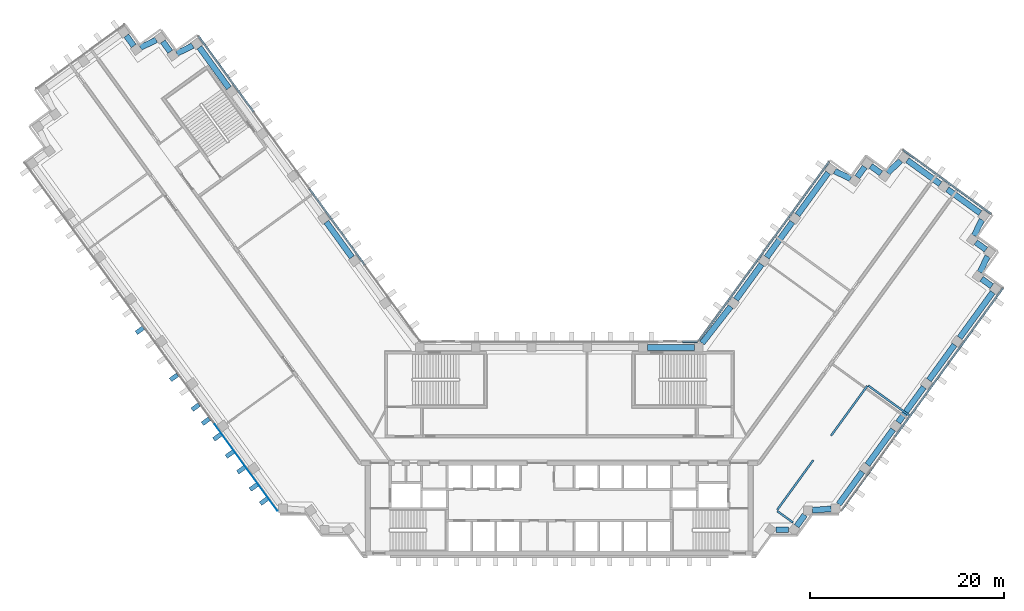
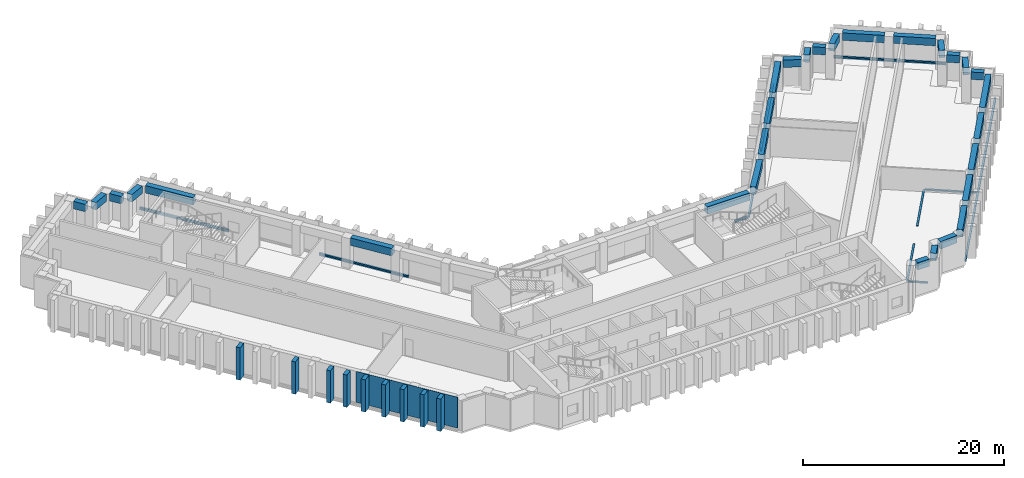
"""IFC4 building model written with IfcOpenShell, lengths in metres."""

from ifc_helpers import new_model, si_unit, direction, frame, origin, origin_2d, place, context, subcontext, project, spatial, rectangle, extrude, material, layer, layer_set, material_profile, profile_set, type_object, element, aggregate, save


model = new_model("IFC4")

# Units and contexts
model_context = context("Model", 3, precision=1e-05, world=origin(), true_north=direction((0.0, 1.0)))
body_context = subcontext(model_context, "Body", "Model", "MODEL_VIEW")
ifc_project = project(units=[si_unit("LENGTHUNIT", "METRE"), si_unit("AREAUNIT", "SQUARE_METRE"), si_unit("VOLUMEUNIT", "CUBIC_METRE"), si_unit("PLANEANGLEUNIT", "RADIAN"), si_unit("MASSUNIT", "GRAM", prefix="KILO")], contexts=[model_context])

# Site, building, storey
site_placement = place(None, origin())
site = spatial("IfcSite", under=ifc_project, at=site_placement, CompositionType="ELEMENT")
building_placement = place(site_placement, origin())
building = spatial("IfcBuilding", under=site, at=building_placement, Name="Quipu Civic Tower", CompositionType="ELEMENT")
storey_1_placement = place(building_placement, frame((0.0, 0.0, 109.0)))
storey_1 = spatial("IfcBuildingStorey", under=building, at=storey_1_placement, Name="L25", CompositionType="ELEMENT", Elevation=109.0)

# Beams
ifc_material_1 = material(Name="Concrete C50/60", Category="concrete")
ifc_material_profile_1 = material_profile(ifc_material_1, rectangle(XDim=0.60009765625, YDim=0.89990234375, at=origin_2d()), Name="RC600x900")
ifc_profile_set_1 = profile_set([ifc_material_profile_1], Name="Concrete C50/60")
beam_type = type_object("IfcBeamType", Name="Spandrel beam RC 600x900 C50/60", PredefinedType="SPANDREL", material=ifc_profile_set_1)
beam_1_placement = place(storey_1_placement, frame((-21.411865234375, 19.807861328125, 3.199951171875), z_axis=(-0.587778073121, 0.809022210299, 0.0), x_axis=(-0.809022210299, -0.587778073121, 0.0)))
element("IfcBeam", 1, at=beam_1_placement, inside=storey_1, type_object=beam_type, Name="Spandrel beam L25 W-IN-02 to W-IN-03", PredefinedType="SPANDREL", context=body_context, shape_type="SweptSolid", body=[
    extrude(rectangle(XDim=0.60009765625, YDim=0.89990234375, at=origin_2d()), origin(), (0.0, 0.0, 1.0), 4.5),
])
beam_2_placement = place(storey_1_placement, frame((-34.107421875, 37.283203125, 3.199951171875), z_axis=(-0.587732861365, 0.80905505602, 0.0), x_axis=(-0.80905505602, -0.587732861365, 0.0)))
element("IfcBeam", 2, at=beam_2_placement, inside=storey_1, type_object=beam_type, Name="Spandrel beam L25 W-IN-06 to T-Wi.0-W50", PredefinedType="SPANDREL", context=body_context, shape_type="SweptSolid", body=[
    extrude(rectangle(XDim=0.60009765625, YDim=0.89990234375, at=origin_2d()), origin(), (0.0, 0.0, 1.0), 5.194580078125),
])
beam_3_placement = place(storey_1_placement, frame((-37.837890625, 41.65283203125, 3.199951171875), z_axis=(-0.90245397739, -0.430786279601, 0.0), x_axis=(0.430786279601, -0.90245397739, 0.0)))
element("IfcBeam", 3, at=beam_3_placement, inside=storey_1, type_object=beam_type, Name="Spandrel beam L25 T-Wi.0-W50 to T-Wi.1-W50", PredefinedType="SPANDREL", context=body_context, shape_type="SweptSolid", body=[
    extrude(rectangle(XDim=0.60009765625, YDim=0.89990234375, at=origin_2d()), origin(), (0.0, 0.0, 1.0), 1.83349609375),
])
beam_4_placement = place(storey_1_placement, frame((-40.170166015625, 41.02978515625, 3.199951171875), z_axis=(-0.588461937499, 0.808524921146, 0.0), x_axis=(-0.808524921146, -0.588461937499, 0.0)))
element("IfcBeam", 4, at=beam_4_placement, inside=storey_1, type_object=beam_type, Name="Spandrel beam L25 T-Wi.1-W50 to T-Wi.2-W50", PredefinedType="SPANDREL", context=body_context, shape_type="SweptSolid", body=[
    extrude(rectangle(XDim=0.60009765625, YDim=0.89990234375, at=origin_2d()), origin(), (0.0, 0.0, 1.0), 1.30029296875),
])
beam_5_placement = place(storey_1_placement, frame((-41.613037109375, 42.248046875, 3.199951171875), z_axis=(-0.902613270121, -0.430452418511, 0.0), x_axis=(0.430452418511, -0.902613270121, 0.0)))
element("IfcBeam", 5, at=beam_5_placement, inside=storey_1, type_object=beam_type, Name="Spandrel beam L25 T-Wi.2-W50 to T-Wi.3-W50", PredefinedType="SPANDREL", context=body_context, shape_type="SweptSolid", body=[
    extrude(rectangle(XDim=0.60009765625, YDim=0.89990234375, at=origin_2d()), origin(), (0.0, 0.0, 1.0), 1.826416015625),
])
beam_6_placement = place(storey_1_placement, frame((-43.939453125, 41.628662109375, 3.199951171875), z_axis=(-0.588383572423, 0.808581951136, 0.0), x_axis=(-0.808581951136, -0.588383572423, 0.0)))
element("IfcBeam", 6, at=beam_6_placement, inside=storey_1, type_object=beam_type, Name="Spandrel beam L25 T-Wi.3-W50 to T-Wi.4-W50", PredefinedType="SPANDREL", context=body_context, shape_type="SweptSolid", body=[
    extrude(rectangle(XDim=0.60009765625, YDim=0.89990234375, at=origin_2d()), origin(), (0.0, 0.0, 1.0), 1.3017578125),
])
beam_7_placement = place(storey_1_placement, frame((22.34814453125, -8.31494140625, 3.199951171875), z_axis=(1.0, 0.0, 0.0), x_axis=(0.0, 1.0, 0.0)))
element("IfcBeam", 7, at=beam_7_placement, inside=storey_1, type_object=beam_type, Name="Spandrel beam L25 J-Eo.1 to J-Eo.2", PredefinedType="SPANDREL", context=body_context, shape_type="SweptSolid", body=[
    extrude(rectangle(XDim=0.60009765625, YDim=0.89990234375, at=origin_2d()), origin(), (0.0, 0.0, 1.0), 1.33056640625),
])
beam_8_placement = place(storey_1_placement, frame((24.499755859375, -7.951171875, 3.199951171875), z_axis=(0.588433824377, 0.808545381738, 0.0), x_axis=(-0.808545381738, 0.588433824377, 0.0)))
element("IfcBeam", 8, at=beam_8_placement, inside=storey_1, type_object=beam_type, Name="Spandrel beam L25 J-Eo.2 to J-Eo.3", PredefinedType="SPANDREL", context=body_context, shape_type="SweptSolid", body=[
    extrude(rectangle(XDim=0.60009765625, YDim=0.89990234375, at=origin_2d()), origin(), (0.0, 0.0, 1.0), 1.439697265625),
])
beam_9_placement = place(storey_1_placement, frame((26.12451171875, -6.304443359375, 3.199951171875), z_axis=(0.997365981169, 0.072533437859, 0.0), x_axis=(-0.072533437859, 0.997365981169, 0.0)))
element("IfcBeam", 9, at=beam_9_placement, inside=storey_1, type_object=beam_type, Name="Spandrel beam L25 J-Eo.3 to J-Eo.4", PredefinedType="SPANDREL", context=body_context, shape_type="SweptSolid", body=[
    extrude(rectangle(XDim=0.60009765625, YDim=0.89990234375, at=origin_2d()), origin(), (0.0, 0.0, 1.0), 1.95556640625),
])
beam_10_placement = place(storey_1_placement, frame((28.85205078125, -5.679931640625, 3.199951171875), z_axis=(0.587750565781, 0.809042194464, 0.0), x_axis=(-0.809042194464, 0.587750565781, 0.0)))
element("IfcBeam", 10, at=beam_10_placement, inside=storey_1, type_object=beam_type, Name="Spandrel beam L25 J-Eo.4 to E-OUT-01", PredefinedType="SPANDREL", context=body_context, shape_type="SweptSolid", body=[
    extrude(rectangle(XDim=0.60009765625, YDim=0.89990234375, at=origin_2d()), origin(), (0.0, 0.0, 1.0), 4.13720703125),
])
beam_11_placement = place(storey_1_placement, frame((31.812744140625, -1.604736328125, 3.199951171875), z_axis=(0.587778073121, 0.809022210299, 0.0), x_axis=(-0.809022210299, 0.587778073121, 0.0)))
element("IfcBeam", 11, at=beam_11_placement, inside=storey_1, type_object=beam_type, Name="Spandrel beam L25 E-OUT-01 to E-OUT-02", PredefinedType="SPANDREL", context=body_context, shape_type="SweptSolid", body=[
    extrude(rectangle(XDim=0.60009765625, YDim=0.89990234375, at=origin_2d()), origin(), (0.0, 0.0, 1.0), 4.5),
])
beam_12_placement = place(storey_1_placement, frame((34.98681640625, 2.76416015625, 3.199951171875), z_axis=(0.587803872688, 0.809003465539, 0.0), x_axis=(-0.809003465539, 0.587803872688, 0.0)))
element("IfcBeam", 12, at=beam_12_placement, inside=storey_1, type_object=beam_type, Name="Spandrel beam L25 E-OUT-02 to E-OUT-03", PredefinedType="SPANDREL", context=body_context, shape_type="SweptSolid", body=[
    extrude(rectangle(XDim=0.60009765625, YDim=0.89990234375, at=origin_2d()), origin(), (0.0, 0.0, 1.0), 4.499755859375),
])
beam_13_placement = place(storey_1_placement, frame((38.160888671875, 7.1328125, 3.199951171875), z_axis=(0.587778073121, 0.809022210299, 0.0), x_axis=(-0.809022210299, 0.587778073121, 0.0)))
element("IfcBeam", 13, at=beam_13_placement, inside=storey_1, type_object=beam_type, Name="Spandrel beam L25 E-OUT-03 to E-OUT-04", PredefinedType="SPANDREL", context=body_context, shape_type="SweptSolid", body=[
    extrude(rectangle(XDim=0.60009765625, YDim=0.89990234375, at=origin_2d()), origin(), (0.0, 0.0, 1.0), 4.5),
])
beam_14_placement = place(storey_1_placement, frame((41.3349609375, 11.50146484375, 3.199951171875), z_axis=(0.587766353983, 0.809030724463, 0.0), x_axis=(-0.809030724463, 0.587766353983, 0.0)))
element("IfcBeam", 14, at=beam_14_placement, inside=storey_1, type_object=beam_type, Name="Spandrel beam L25 E-OUT-04 to T-Eo.0-E34", PredefinedType="SPANDREL", context=body_context, shape_type="SweptSolid", body=[
    extrude(rectangle(XDim=0.60009765625, YDim=0.89990234375, at=origin_2d()), origin(), (0.0, 0.0, 1.0), 5.802734375),
])
beam_15_placement = place(storey_1_placement, frame((44.646240234375, 16.82470703125, 3.199951171875), z_axis=(-0.808524921146, 0.588461937499, 0.0), x_axis=(-0.588461937499, -0.808524921146, 0.0)))
element("IfcBeam", 15, at=beam_15_placement, inside=storey_1, type_object=beam_type, Name="Spandrel beam L25 T-Eo.0-E34 to T-Eo.1-E34", PredefinedType="SPANDREL", context=body_context, shape_type="SweptSolid", body=[
    extrude(rectangle(XDim=0.60009765625, YDim=0.89990234375, at=origin_2d()), origin(), (0.0, 0.0, 1.0), 1.30029296875),
])
beam_16_placement = place(storey_1_placement, frame((43.42822265625, 18.267578125, 3.199951171875), z_axis=(0.430677818234, 0.902505743406, 0.0), x_axis=(-0.902505743406, 0.430677818234, 0.0)))
element("IfcBeam", 16, at=beam_16_placement, inside=storey_1, type_object=beam_type, Name="Spandrel beam L25 T-Eo.1-E34 to T-Eo.2-E34", PredefinedType="SPANDREL", context=body_context, shape_type="SweptSolid", body=[
    extrude(rectangle(XDim=0.60009765625, YDim=0.89990234375, at=origin_2d()), origin(), (0.0, 0.0, 1.0), 1.833251953125),
])
beam_17_placement = place(storey_1_placement, frame((44.05078125, 20.59912109375, 3.199951171875), z_axis=(-0.809393823939, 0.587266240959, 0.0), x_axis=(-0.587266240959, -0.809393823939, 0.0)))
element("IfcBeam", 17, at=beam_17_placement, inside=storey_1, type_object=beam_type, Name="Spandrel beam L25 T-Eo.2-E34 to T-Eo.3-E34", PredefinedType="SPANDREL", context=body_context, shape_type="SweptSolid", body=[
    extrude(rectangle(XDim=0.60009765625, YDim=0.89990234375, at=origin_2d()), origin(), (0.0, 0.0, 1.0), 1.299072265625),
])
beam_18_placement = place(storey_1_placement, frame((42.83154296875, 22.03955078125, 3.199951171875), z_axis=(0.429892146977, 0.902880247856, 0.0), x_axis=(-0.902880247856, 0.429892146977, 0.0)))
element("IfcBeam", 18, at=beam_18_placement, inside=storey_1, type_object=beam_type, Name="Spandrel beam L25 T-Eo.3-E34 to T-Eo.4-E34", PredefinedType="SPANDREL", context=body_context, shape_type="SweptSolid", body=[
    extrude(rectangle(XDim=0.60009765625, YDim=0.89990234375, at=origin_2d()), origin(), (0.0, 0.0, 1.0), 1.829833984375),
])
beam_19_placement = place(storey_1_placement, frame((43.450927734375, 24.36962890625, 3.199951171875), z_axis=(-0.808987489375, 0.587825860298, 0.0), x_axis=(-0.587825860298, -0.808987489375, 0.0)))
element("IfcBeam", 19, at=beam_19_placement, inside=storey_1, type_object=beam_type, Name="Spandrel beam L25 T-Eo.4-E34 to TIP-E-01-E34", PredefinedType="SPANDREL", context=body_context, shape_type="SweptSolid", body=[
    extrude(rectangle(XDim=0.60009765625, YDim=0.89990234375, at=origin_2d()), origin(), (0.0, 0.0, 1.0), 4.1982421875),
])
beam_20_placement = place(storey_1_placement, frame((39.32666015625, 27.366455078125, 3.199951171875), z_axis=(-0.808969789945, 0.58785021813, 0.0), x_axis=(-0.58785021813, -0.808969789945, 0.0)))
element("IfcBeam", 20, at=beam_20_placement, inside=storey_1, type_object=beam_type, Name="Spandrel beam L25 TIP-E-01-E34 to T-Ei.0-E34", PredefinedType="SPANDREL", context=body_context, shape_type="SweptSolid", body=[
    extrude(rectangle(XDim=0.60009765625, YDim=0.89990234375, at=origin_2d()), origin(), (0.0, 0.0, 1.0), 4.199951171875),
])
beam_21_placement = place(storey_1_placement, frame((35.233154296875, 29.784912109375, 3.199951171875), z_axis=(-0.725209203815, -0.688528583795, 0.0), x_axis=(0.688528583795, -0.725209203815, 0.0)))
element("IfcBeam", 21, at=beam_21_placement, inside=storey_1, type_object=beam_type, Name="Spandrel beam L25 T-Ei.0-E34 to T-Ei.1-E34", PredefinedType="SPANDREL", context=body_context, shape_type="SweptSolid", body=[
    extrude(rectangle(XDim=0.60009765625, YDim=0.89990234375, at=origin_2d()), origin(), (0.0, 0.0, 1.0), 1.830322265625),
])
beam_22_placement = place(storey_1_placement, frame((33.209716796875, 28.4736328125, 3.199951171875), z_axis=(-0.809402563526, 0.587254195521, 0.0), x_axis=(-0.587254195521, -0.809402563526, 0.0)))
element("IfcBeam", 22, at=beam_22_placement, inside=storey_1, type_object=beam_type, Name="Spandrel beam L25 T-Ei.1-E34 to T-Ei.2-E34", PredefinedType="SPANDREL", context=body_context, shape_type="SweptSolid", body=[
    extrude(rectangle(XDim=0.60009765625, YDim=0.89990234375, at=origin_2d()), origin(), (0.0, 0.0, 1.0), 1.2978515625),
])
beam_23_placement = place(storey_1_placement, frame((31.52978515625, 29.136474609375, 3.199951171875), z_axis=(-0.589187485143, -0.80799635355, 0.0), x_axis=(0.80799635355, -0.589187485143, 0.0)))
element("IfcBeam", 23, at=beam_23_placement, inside=storey_1, type_object=beam_type, Name="Spandrel beam L25 T-Ei.2-E34 to T-Ei.3-E34", PredefinedType="SPANDREL", context=body_context, shape_type="SweptSolid", body=[
    extrude(rectangle(XDim=0.60009765625, YDim=0.89990234375, at=origin_2d()), origin(), (0.0, 0.0, 1.0), 1.2998046875),
])
beam_24_placement = place(storey_1_placement, frame((30.085693359375, 27.919677734375, 3.199951171875), z_axis=(-0.902567013751, 0.430549399823, 0.0), x_axis=(-0.430549399823, -0.902567013751, 0.0)))
element("IfcBeam", 24, at=beam_24_placement, inside=storey_1, type_object=beam_type, Name="Spandrel beam L25 T-Ei.3-E34 to T-Ei.4-E34", PredefinedType="SPANDREL", context=body_context, shape_type="SweptSolid", body=[
    extrude(rectangle(XDim=0.60009765625, YDim=0.89990234375, at=origin_2d()), origin(), (0.0, 0.0, 1.0), 1.8310546875),
])
beam_25_placement = place(storey_1_placement, frame((27.755615234375, 28.541015625, 3.199951171875), z_axis=(-0.58767640123, -0.809096068114, 0.0), x_axis=(0.809096068114, -0.58767640123, 0.0)))
element("IfcBeam", 25, at=beam_25_placement, inside=storey_1, type_object=beam_type, Name="Spandrel beam L25 T-Ei.4-E34 to E-IN-03", PredefinedType="SPANDREL", context=body_context, shape_type="SweptSolid", body=[
    extrude(rectangle(XDim=0.60009765625, YDim=0.89990234375, at=origin_2d()), origin(), (0.0, 0.0, 1.0), 5.39404296875),
])
for number, where, z_axis, x_axis, name in (
    (26, (24.056884765625, 23.448486328125, 3.199951171875), (-0.587778073121, -0.809022210299, 0.0), (0.809022210299, -0.587778073121, 0.0), "Spandrel beam L25 E-IN-03 to E-IN-02"),
    (27, (20.8828125, 19.079833984375, 3.199951171875), (-0.587716763865, -0.809066749701, 0.0), (0.809066749701, -0.587716763865, 0.0), "Spandrel beam L25 E-IN-02 to E-IN-01"),
):
    element("IfcBeam", number, at=place(storey_1_placement, frame(where, z_axis=z_axis, x_axis=x_axis)), inside=storey_1, type_object=beam_type, Name=name, PredefinedType="SPANDREL", context=body_context, shape_type="SweptSolid", body=[
        extrude(rectangle(XDim=0.60009765625, YDim=0.89990234375, at=origin_2d()), origin(), (0.0, 0.0, 1.0), 4.5),
    ])
beam_26_placement = place(storey_1_placement, frame((17.6962890625, 14.72021484375, 3.199951171875), z_axis=(-0.616123961998, -0.787649200756, 0.0), x_axis=(0.787649200756, -0.616123961998, 0.0)))
element("IfcBeam", 28, at=beam_26_placement, inside=storey_1, type_object=beam_type, Name="Spandrel beam L25 E-IN-01 to J-Ei.0", PredefinedType="SPANDREL", context=body_context, shape_type="SweptSolid", body=[
    extrude(rectangle(XDim=0.60009765625, YDim=0.89990234375, at=origin_2d()), origin(), (0.0, 0.0, 1.0), 4.78662109375),
])
beam_27_placement = place(storey_1_placement, frame((13.9453125, 10.5, 3.199951171875), z_axis=(-1.0, 0.0, 0.0), x_axis=(0.0, -1.0, 0.0)))
element("IfcBeam", 29, at=beam_27_placement, inside=storey_1, type_object=beam_type, Name="Spandrel beam L25 J-Ei.0 to FRONT-01", PredefinedType="SPANDREL", context=body_context, shape_type="SweptSolid", body=[
    extrude(rectangle(XDim=0.60009765625, YDim=0.89990234375, at=origin_2d()), origin(), (0.0, 0.0, 1.0), 4.858154296875),
])

# Storey
storey_2_placement = place(building_placement, frame((0.0, 0.0, 101.0)))
storey_2 = spatial("IfcBuildingStorey", under=building, at=storey_2_placement, Name="L23", CompositionType="ELEMENT", Elevation=101.0)

# Curtain wall, members
ifc_material_2 = material(Name="Insulated glass unit", Category="glass")
curtain_wall_type = type_object("IfcCurtainWallType", Name="Office curtain wall CW1", PredefinedType="NOTDEFINED", material=ifc_material_2)
curtain_wall_1_placement = place(storey_2_placement, origin())
curtain_wall_1 = element("IfcCurtainWall", 30, at=curtain_wall_1_placement, inside=storey_2, type_object=curtain_wall_type, Name="Office curtain wall CW1 L22 run 10", PredefinedType="NOTDEFINED")
ifc_material_3 = material(Name="Anodised aluminium", Category="aluminium")
ifc_material_profile_2 = material_profile(ifc_material_3, rectangle(XDim=0.199951171875, YDim=0.159912109375, at=origin_2d()), Name="RECT 200x160")
ifc_profile_set_2 = profile_set([ifc_material_profile_2], Name="Anodised aluminium")
member_type = type_object("IfcMemberType", Name="Transom CW1", PredefinedType="USERDEFINED", material=ifc_profile_set_2)
member_1_placement = place(storey_1_placement, frame((-20.105224609375, 19.029296875, 0.0), z_axis=(-0.587793764301, 0.80901080997, 0.0), x_axis=(-0.80901080997, -0.587793764301, 0.0)))
member_1 = element("IfcMember", 31, at=member_1_placement, inside=storey_1, type_object=member_type, Name="CW1 transom 2.4", ObjectType="TRANSOM", PredefinedType="USERDEFINED", context=body_context, shape_type="SweptSolid", body=[
    extrude(rectangle(XDim=0.199951171875, YDim=0.159912109375, at=origin_2d()), origin(), (0.0, 0.0, 1.0), 9.680908203125),
])
member_2_placement = place(storey_1_placement, frame((-31.580078125, 34.822998046875, 0.0), z_axis=(-0.587775627857, 0.809023986849, 0.0), x_axis=(-0.809023986849, -0.587775627857, 0.0)))
member_2 = element("IfcMember", 32, at=member_2_placement, inside=storey_1, type_object=member_type, Name="CW1 transom 4.4", ObjectType="TRANSOM", PredefinedType="USERDEFINED", context=body_context, shape_type="SweptSolid", body=[
    extrude(rectangle(XDim=0.199951171875, YDim=0.159912109375, at=origin_2d()), origin(), (0.0, 0.0, 1.0), 9.64111328125),
])
aggregate(curtain_wall_1, [member_1, member_2])

# Curtain wall, member
curtain_wall_2_placement = place(storey_2_placement, origin())
curtain_wall_2 = element("IfcCurtainWall", 33, at=curtain_wall_2_placement, inside=storey_2, type_object=curtain_wall_type, Name="Office curtain wall CW1 L22 run 31", PredefinedType="NOTDEFINED")
member_3_placement = place(storey_1_placement, frame((44.590087890625, 24.2841796875, 0.0), z_axis=(-0.809014959561, 0.587788052963, 0.0), x_axis=(-0.587788052963, -0.809014959561, 0.0)))
member_3 = element("IfcMember", 34, at=member_3_placement, inside=storey_1, type_object=member_type, Name="CW1 transom 1.4", ObjectType="TRANSOM", PredefinedType="USERDEFINED", context=body_context, shape_type="SweptSolid", body=[
    extrude(rectangle(XDim=0.199951171875, YDim=0.159912109375, at=origin_2d()), origin(), (0.0, 0.0, 1.0), 11.239990234375),
])
aggregate(curtain_wall_2, [member_3])

# Curtain wall, members
curtain_wall_3_placement = place(storey_2_placement, origin())
curtain_wall_3 = element("IfcCurtainWall", 35, at=curtain_wall_3_placement, inside=storey_2, type_object=curtain_wall_type, Name="Office curtain wall CW1 L22 run 36", PredefinedType="NOTDEFINED")
member_4_placement = place(storey_1_placement, frame((27.84228515625, 29.678466796875, 0.0), z_axis=(-0.587775682251, -0.809023947331, 0.0), x_axis=(0.809023947331, -0.587775682251, 0.0)))
member_4 = element("IfcMember", 36, at=member_4_placement, inside=storey_1, type_object=member_type, Name="CW1 transom 1.4", ObjectType="TRANSOM", PredefinedType="USERDEFINED", context=body_context, shape_type="SweptSolid", body=[
    extrude(rectangle(XDim=0.199951171875, YDim=0.159912109375, at=origin_2d()), origin(), (0.0, 0.0, 1.0), 11.402099609375),
])
member_5_placement = place(storey_1_placement, frame((21.09326171875, 20.38916015625, 0.0), z_axis=(-0.587799878401, -0.809006367683, 0.0), x_axis=(0.809006367683, -0.587799878401, 0.0)))
member_5 = element("IfcMember", 37, at=member_5_placement, inside=storey_1, type_object=member_type, Name="CW1 transom 2.4", ObjectType="TRANSOM", PredefinedType="USERDEFINED", context=body_context, shape_type="SweptSolid", body=[
    extrude(rectangle(XDim=0.199951171875, YDim=0.159912109375, at=origin_2d()), origin(), (0.0, 0.0, 1.0), 11.402099609375),
])
aggregate(curtain_wall_3, [member_4, member_5])

# Curtain wall, member
curtain_wall_4_placement = place(storey_2_placement, origin())
curtain_wall_4 = element("IfcCurtainWall", 38, at=curtain_wall_4_placement, inside=storey_2, type_object=curtain_wall_type, Name="Office curtain wall CW1 L22 run 37", PredefinedType="NOTDEFINED")
member_6_placement = place(storey_1_placement, frame((14.26416015625, 11.10009765625, 0.0), z_axis=(-1.0, 0.0, 0.0), x_axis=(0.0, -1.0, 0.0)))
member_6 = element("IfcMember", 39, at=member_6_placement, inside=storey_1, type_object=member_type, Name="CW1 transom 1.4", ObjectType="TRANSOM", PredefinedType="USERDEFINED", context=body_context, shape_type="SweptSolid", body=[
    extrude(rectangle(XDim=0.199951171875, YDim=0.159912109375, at=origin_2d()), origin(), (0.0, 0.0, 1.0), 1.529052734375),
])
aggregate(curtain_wall_4, [member_6])

# Storey
storey_3_placement = place(building_placement, frame((0.0, 0.0, 105.0)))
storey_3 = spatial("IfcBuildingStorey", under=building, at=storey_3_placement, Name="L24", CompositionType="ELEMENT", Elevation=105.0)

# Curtain wall, member
curtain_wall_5_placement = place(storey_3_placement, origin())
curtain_wall_5 = element("IfcCurtainWall", 40, at=curtain_wall_5_placement, inside=storey_3, type_object=curtain_wall_type, Name="Office curtain wall CW1 L24 run 2", PredefinedType="NOTDEFINED")
member_7_placement = place(storey_1_placement, frame((24.122314453125, -7.568359375, 0.0), z_axis=(-0.809088976467, 0.587686164683, 0.0), x_axis=(-0.587686164683, -0.809088976467, 0.0)))
member_7 = element("IfcMember", 41, at=member_7_placement, inside=storey_1, type_object=member_type, Name="CW1 transom 1.2", ObjectType="TRANSOM", PredefinedType="USERDEFINED", context=body_context, shape_type="SweptSolid", body=[
    extrude(rectangle(XDim=0.199951171875, YDim=0.159912109375, at=origin_2d()), origin(), (0.0, 0.0, 1.0), 2.003662109375),
])
aggregate(curtain_wall_5, [member_7])

curtain_wall_6_placement = place(storey_3_placement, origin())
curtain_wall_6 = element("IfcCurtainWall", 42, at=curtain_wall_6_placement, inside=storey_3, type_object=curtain_wall_type, Name="Office curtain wall CW1 L24 run 3", PredefinedType="NOTDEFINED")
member_8_placement = place(storey_1_placement, frame((22.483642578125, -6.279052734375, 0.0), z_axis=(0.587778942742, 0.809021578494, 0.0), x_axis=(-0.809021578494, 0.587778942742, 0.0)))
member_8 = element("IfcMember", 43, at=member_8_placement, inside=storey_1, type_object=member_type, Name="CW1 transom 1.2", ObjectType="TRANSOM", PredefinedType="USERDEFINED", context=body_context, shape_type="SweptSolid", body=[
    extrude(rectangle(XDim=0.199951171875, YDim=0.159912109375, at=origin_2d()), origin(), (0.0, 0.0, 1.0), 6.3583984375),
])
aggregate(curtain_wall_6, [member_8])

curtain_wall_7_placement = place(storey_3_placement, origin())
curtain_wall_7 = element("IfcCurtainWall", 44, at=curtain_wall_7_placement, inside=storey_3, type_object=curtain_wall_type, Name="Office curtain wall CW1 L24 run 5", PredefinedType="NOTDEFINED")
member_9_placement = place(storey_1_placement, frame((28.056640625, 1.3916015625, 0.0), z_axis=(0.587785815007, 0.809016585539, 0.0), x_axis=(-0.809016585539, 0.587785815007, 0.0)))
member_9 = element("IfcMember", 45, at=member_9_placement, inside=storey_1, type_object=member_type, Name="CW1 transom 1.2", ObjectType="TRANSOM", PredefinedType="USERDEFINED", context=body_context, shape_type="SweptSolid", body=[
    extrude(rectangle(XDim=0.199951171875, YDim=0.159912109375, at=origin_2d()), origin(), (0.0, 0.0, 1.0), 6.358642578125),
])
aggregate(curtain_wall_7, [member_9])

curtain_wall_8_placement = place(storey_3_placement, origin())
curtain_wall_8 = element("IfcCurtainWall", 46, at=curtain_wall_8_placement, inside=storey_3, type_object=curtain_wall_type, Name="Office curtain wall CW1 L24 run 6", PredefinedType="NOTDEFINED")
member_10_placement = place(storey_1_placement, frame((31.90576171875, 6.553466796875, 0.0), z_axis=(0.809032158953, -0.587764379475, 0.0), x_axis=(0.587764379475, 0.809032158953, 0.0)))
member_10 = element("IfcMember", 47, at=member_10_placement, inside=storey_1, type_object=member_type, Name="CW1 transom 1.2", ObjectType="TRANSOM", PredefinedType="USERDEFINED", context=body_context, shape_type="SweptSolid", body=[
    extrude(rectangle(XDim=0.199951171875, YDim=0.159912109375, at=origin_2d()), origin(), (0.0, 0.0, 1.0), 5.239990234375),
])
aggregate(curtain_wall_8, [member_10])

# Curtain wall, members
curtain_wall_9_placement = place(storey_3_placement, origin())
curtain_wall_9 = element("IfcCurtainWall", 48, at=curtain_wall_9_placement, inside=storey_3, type_object=curtain_wall_type, Name="Office curtain wall CW1 L24 run 7", PredefinedType="NOTDEFINED")
member_11_placement = place(storey_1_placement, frame((36.2568359375, 3.4912109375, 0.0), z_axis=(0.587781767955, 0.809019525883, 0.0), x_axis=(-0.809019525883, 0.587781767955, 0.0)))
member_11 = element("IfcMember", 49, at=member_11_placement, inside=storey_1, type_object=member_type, Name="CW1 transom 1.2", ObjectType="TRANSOM", PredefinedType="USERDEFINED", context=body_context, shape_type="SweptSolid", body=[
    extrude(rectangle(XDim=0.199951171875, YDim=0.159912109375, at=origin_2d()), origin(), (0.0, 0.0, 1.0), 8.080078125),
])
member_12_placement = place(storey_1_placement, frame((41.05322265625, 10.0927734375, 0.0), z_axis=(0.587781767955, 0.809019525883, 0.0), x_axis=(-0.809019525883, 0.587781767955, 0.0)))
member_12 = element("IfcMember", 50, at=member_12_placement, inside=storey_1, type_object=member_type, Name="CW1 transom 2.2", ObjectType="TRANSOM", PredefinedType="USERDEFINED", context=body_context, shape_type="SweptSolid", body=[
    extrude(rectangle(XDim=0.199951171875, YDim=0.159912109375, at=origin_2d()), origin(), (0.0, 0.0, 1.0), 8.080078125),
])
aggregate(curtain_wall_9, [member_11, member_12])

# Storey
storey_4_placement = place(building_placement, frame((0.0, 0.0, 113.0)))
storey_4 = spatial("IfcBuildingStorey", under=building, at=storey_4_placement, Name="L26", CompositionType="ELEMENT", Elevation=113.0)

# Curtain wall, members
curtain_wall_10_placement = place(storey_4_placement, origin())
curtain_wall_10 = element("IfcCurtainWall", 51, at=curtain_wall_10_placement, inside=storey_4, type_object=curtain_wall_type, Name="Office curtain wall CW1 L25 run 1", PredefinedType="NOTDEFINED")
member_13_placement = place(storey_1_placement, frame((-20.105224609375, 19.029296875, 0.159912109375), z_axis=(-0.587793764301, 0.80901080997, 0.0), x_axis=(-0.80901080997, -0.587793764301, 0.0)))
member_13 = element("IfcMember", 52, at=member_13_placement, inside=storey_1, type_object=member_type, Name="CW1 transom 2.1", ObjectType="TRANSOM", PredefinedType="USERDEFINED", context=body_context, shape_type="SweptSolid", body=[
    extrude(rectangle(XDim=0.199951171875, YDim=0.159912109375, at=origin_2d()), origin(), (0.0, 0.0, 1.0), 9.680908203125),
])
member_14_placement = place(storey_1_placement, frame((-31.580078125, 34.822998046875, 0.159912109375), z_axis=(-0.587775627857, 0.809023986849, 0.0), x_axis=(-0.809023986849, -0.587775627857, 0.0)))
member_14 = element("IfcMember", 53, at=member_14_placement, inside=storey_1, type_object=member_type, Name="CW1 transom 4.1", ObjectType="TRANSOM", PredefinedType="USERDEFINED", context=body_context, shape_type="SweptSolid", body=[
    extrude(rectangle(XDim=0.199951171875, YDim=0.159912109375, at=origin_2d()), origin(), (0.0, 0.0, 1.0), 9.64111328125),
])
aggregate(curtain_wall_10, [member_13, member_14])

curtain_wall_11_placement = place(storey_4_placement, origin())
curtain_wall_11 = element("IfcCurtainWall", 54, at=curtain_wall_11_placement, inside=storey_4, type_object=curtain_wall_type, Name="Office curtain wall CW1 L25 run 23", PredefinedType="NOTDEFINED")
member_15_placement = place(storey_1_placement, frame((29.10302734375, -6.35546875, 0.159912109375), z_axis=(0.58777644589, 0.809023392528, 0.0), x_axis=(-0.809023392528, 0.58777644589, 0.0)))
member_15 = element("IfcMember", 55, at=member_15_placement, inside=storey_1, type_object=member_type, Name="CW1 transom 1.1", ObjectType="TRANSOM", PredefinedType="USERDEFINED", context=body_context, shape_type="SweptSolid", body=[
    extrude(rectangle(XDim=0.199951171875, YDim=0.159912109375, at=origin_2d()), origin(), (0.0, 0.0, 1.0), 9.40380859375),
])
member_16_placement = place(storey_1_placement, frame((34.67724609375, 1.317138671875, 0.159912109375), z_axis=(0.587790407593, 0.809013248805, 0.0), x_axis=(-0.809013248805, 0.587790407593, 0.0)))
member_16 = element("IfcMember", 56, at=member_16_placement, inside=storey_1, type_object=member_type, Name="CW1 transom 2.1", ObjectType="TRANSOM", PredefinedType="USERDEFINED", context=body_context, shape_type="SweptSolid", body=[
    extrude(rectangle(XDim=0.199951171875, YDim=0.159912109375, at=origin_2d()), origin(), (0.0, 0.0, 1.0), 9.443359375),
])
member_17_placement = place(storey_1_placement, frame((40.275146484375, 9.02197265625, 0.159912109375), z_axis=(0.58778879159, 0.809014422913, 0.0), x_axis=(-0.809014422913, 0.58778879159, 0.0)))
member_17 = element("IfcMember", 57, at=member_17_placement, inside=storey_1, type_object=member_type, Name="CW1 transom 3.1", ObjectType="TRANSOM", PredefinedType="USERDEFINED", context=body_context, shape_type="SweptSolid", body=[
    extrude(rectangle(XDim=0.199951171875, YDim=0.159912109375, at=origin_2d()), origin(), (0.0, 0.0, 1.0), 9.403564453125),
])
aggregate(curtain_wall_11, [member_15, member_16, member_17])

# Curtain wall, member
curtain_wall_12_placement = place(storey_4_placement, origin())
curtain_wall_12 = element("IfcCurtainWall", 58, at=curtain_wall_12_placement, inside=storey_4, type_object=curtain_wall_type, Name="Office curtain wall CW1 L25 run 25", PredefinedType="NOTDEFINED")
member_18_placement = place(storey_1_placement, frame((44.590087890625, 24.2841796875, 0.159912109375), z_axis=(-0.809014959561, 0.587788052963, 0.0), x_axis=(-0.587788052963, -0.809014959561, 0.0)))
member_18 = element("IfcMember", 59, at=member_18_placement, inside=storey_1, type_object=member_type, Name="CW1 transom 1.1", ObjectType="TRANSOM", PredefinedType="USERDEFINED", context=body_context, shape_type="SweptSolid", body=[
    extrude(rectangle(XDim=0.199951171875, YDim=0.159912109375, at=origin_2d()), origin(), (0.0, 0.0, 1.0), 11.239990234375),
])
aggregate(curtain_wall_12, [member_18])

# Curtain wall, members
curtain_wall_13_placement = place(storey_4_placement, origin())
curtain_wall_13 = element("IfcCurtainWall", 60, at=curtain_wall_13_placement, inside=storey_4, type_object=curtain_wall_type, Name="Office curtain wall CW1 L25 run 30", PredefinedType="NOTDEFINED")
member_19_placement = place(storey_1_placement, frame((27.84228515625, 29.678466796875, 0.159912109375), z_axis=(-0.587775682251, -0.809023947331, 0.0), x_axis=(0.809023947331, -0.587775682251, 0.0)))
member_19 = element("IfcMember", 61, at=member_19_placement, inside=storey_1, type_object=member_type, Name="CW1 transom 1.1", ObjectType="TRANSOM", PredefinedType="USERDEFINED", context=body_context, shape_type="SweptSolid", body=[
    extrude(rectangle(XDim=0.199951171875, YDim=0.159912109375, at=origin_2d()), origin(), (0.0, 0.0, 1.0), 11.402099609375),
])
member_20_placement = place(storey_1_placement, frame((21.09326171875, 20.38916015625, 0.159912109375), z_axis=(-0.587799878401, -0.809006367683, 0.0), x_axis=(0.809006367683, -0.587799878401, 0.0)))
member_20 = element("IfcMember", 62, at=member_20_placement, inside=storey_1, type_object=member_type, Name="CW1 transom 2.1", ObjectType="TRANSOM", PredefinedType="USERDEFINED", context=body_context, shape_type="SweptSolid", body=[
    extrude(rectangle(XDim=0.199951171875, YDim=0.159912109375, at=origin_2d()), origin(), (0.0, 0.0, 1.0), 11.402099609375),
])
aggregate(curtain_wall_13, [member_19, member_20])

# Curtain wall, member
curtain_wall_14_placement = place(storey_4_placement, origin())
curtain_wall_14 = element("IfcCurtainWall", 63, at=curtain_wall_14_placement, inside=storey_4, type_object=curtain_wall_type, Name="Office curtain wall CW1 L25 run 31", PredefinedType="NOTDEFINED")
member_21_placement = place(storey_1_placement, frame((14.26416015625, 11.10009765625, 0.159912109375), z_axis=(-1.0, 0.0, 0.0), x_axis=(0.0, -1.0, 0.0)))
member_21 = element("IfcMember", 64, at=member_21_placement, inside=storey_1, type_object=member_type, Name="CW1 transom 1.1", ObjectType="TRANSOM", PredefinedType="USERDEFINED", context=body_context, shape_type="SweptSolid", body=[
    extrude(rectangle(XDim=0.199951171875, YDim=0.159912109375, at=origin_2d()), origin(), (0.0, 0.0, 1.0), 1.529052734375),
])
aggregate(curtain_wall_14, [member_21])

# Curtain wall, plate
curtain_wall_15_placement = place(storey_4_placement, origin())
curtain_wall_15 = element("IfcCurtainWall", 65, at=curtain_wall_15_placement, inside=storey_4, type_object=curtain_wall_type, Name="Office curtain wall CW1 L25 run 11", PredefinedType="NOTDEFINED")
ifc_material_4 = material(Name="Insulated glass unit", Category="glass")
ifc_layer = layer(ifc_material_4, 0.028076171875)
ifc_layer_set = layer_set([ifc_layer], Name="Insulated glass unit")
plate_type_1 = type_object("IfcPlateType", Name="Glass panel CW1", PredefinedType="CURTAIN_PANEL", material=ifc_layer_set)
plate_placement = place(storey_1_placement, frame((-32.342529296875, -1.896484375, 0.240234375), z_axis=(0.0, 0.0, 1.0), x_axis=(0.587785559869, -0.809016770908, 0.0)))
plate = element("IfcPlate", 66, at=plate_placement, inside=storey_1, type_object=plate_type_1, Name="CW1 panel 4.1", PredefinedType="CURTAIN_PANEL", context=body_context, shape_type="SweptSolid", body=[
    extrude(rectangle(XDim=11.022705078125, YDim=0.028076171875, at=origin_2d()), origin(), (0.0, 0.0, 1.0), 3.760009765625),
])
aggregate(curtain_wall_15, [plate])

# Plates
ifc_material_5 = material(Name="Precast concrete C40/50", Category="concrete")
plate_type_2 = type_object("IfcPlateType", Name="Precast fin F1", PredefinedType="SHEET", material=ifc_material_5)
for number, where, z_axis, x_axis, name in (
    (67, (-43.3115234375, 12.265380859375, 0.080078125), (0.0, 0.0, 1.0), (0.587785716149, -0.809016657363, 0.0), "Precast fin F1 L25.11.11"),
    (68, (-39.78466796875, 7.4111328125, 0.080078125), (0.0, 0.0, 1.0), (0.587785716149, -0.809016657363, 0.0), "Precast fin F1 L25.11.14"),
    (69, (-37.55126953125, 4.3369140625, 0.080078125), (0.0, 0.0, 1.0), (0.587785716149, -0.809016657363, 0.0), "Precast fin F1 L25.11.16"),
    (70, (-36.4931640625, 2.880615234375, 0.080078125), (0.0, 0.0, 1.0), (0.587785716149, -0.809016657363, 0.0), "Precast fin F1 L25.11.17"),
    (71, (-35.317626953125, 1.2626953125, 0.080078125), (0.0, 0.0, 1.0), (0.587785716149, -0.809016657363, 0.0), "Precast fin F1 L25.11.18"),
    (72, (-34.0244140625, -0.51708984375, 0.080078125), (0.0, 0.0, 1.0), (0.587785716149, -0.809016657363, 0.0), "Precast fin F1 L25.11.19"),
    (73, (-32.848876953125, -2.13525390625, 0.080078125), (0.0, 0.0, 1.0), (0.587785716149, -0.809016657363, 0.0), "Precast fin F1 L25.11.20"),
    (74, (-31.5556640625, -3.9150390625, 0.080078125), (0.0, 0.0, 1.0), (0.587785716149, -0.809016657363, 0.0), "Precast fin F1 L25.11.21"),
    (75, (-30.497802734375, -5.371337890625, 0.080078125), (0.0, 0.0, 1.0), (0.587785716149, -0.809016657363, 0.0), "Precast fin F1 L25.11.22"),
):
    element("IfcPlate", number, at=place(storey_1_placement, frame(where, z_axis=z_axis, x_axis=x_axis)), inside=storey_1, type_object=plate_type_2, Name=name, PredefinedType="SHEET", context=body_context, shape_type="SweptSolid", body=[
        extrude(rectangle(XDim=0.449951171875, YDim=0.89990234375, at=origin_2d()), origin(), (0.0, 0.0, 1.0), 3.919921875),
    ])

save(model, "model.ifc")
